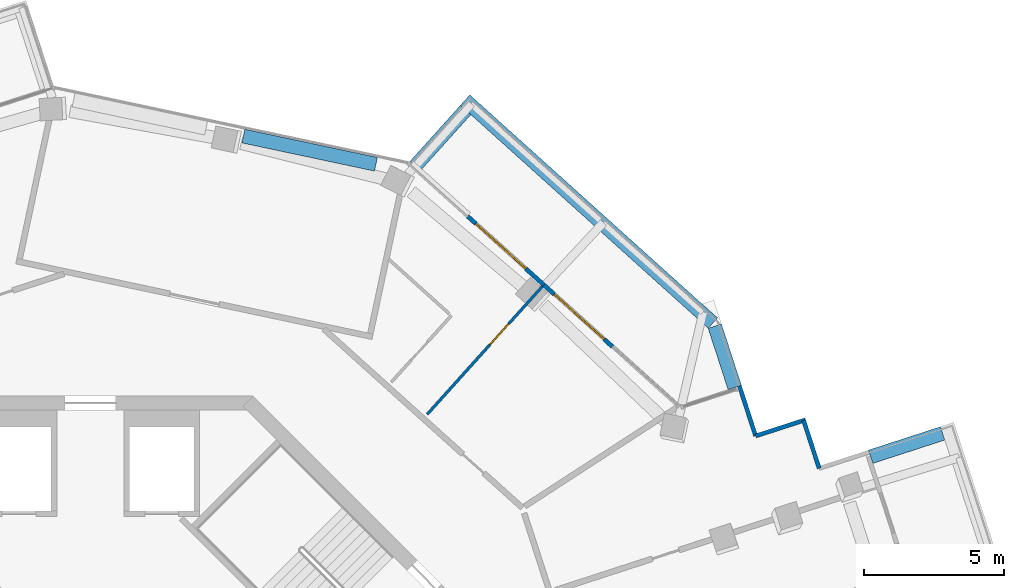
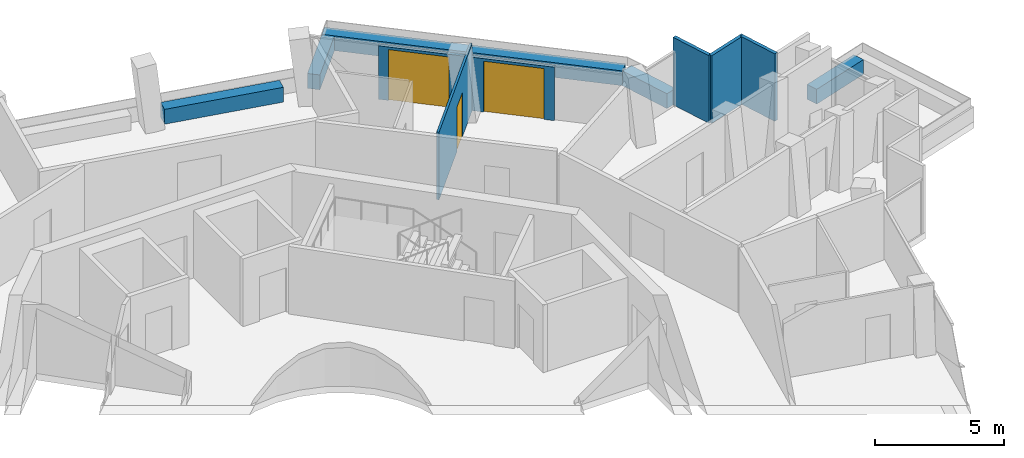
# One storey, part 19 of 22: 11 walls, 3 doors, 3 openings.
"""IFC4 building model written with IfcOpenShell, lengths in metres."""

from ifc_helpers import new_model, si_unit, direction, frame, frame_2d, origin, place, context, subcontext, project, spatial, rectangle, extrude, material, layer, layer_set, type_object, element, fill, save


model = new_model("IFC4")

# Units and contexts
model_context = context("Model", 3, precision=1e-05, world=origin(), true_north=direction((0.0, 1.0)))
body_context = subcontext(model_context, "Body", "Model", "MODEL_VIEW")
ifc_project = project(units=[si_unit("LENGTHUNIT", "METRE"), si_unit("AREAUNIT", "SQUARE_METRE"), si_unit("VOLUMEUNIT", "CUBIC_METRE"), si_unit("PLANEANGLEUNIT", "RADIAN"), si_unit("MASSUNIT", "GRAM", prefix="KILO")], contexts=[model_context])

# Site, building, storey
site_placement = place(None, origin())
site = spatial("IfcSite", under=ifc_project, at=site_placement, CompositionType="ELEMENT")
building_placement = place(site_placement, origin())
building = spatial("IfcBuilding", under=site, at=building_placement, Name="Verdalira Terraces Hotel", CompositionType="ELEMENT")
storey_placement = place(building_placement, frame((0.0, 0.0, 230.5)))
storey = spatial("IfcBuildingStorey", under=building, at=storey_placement, Name="L56", CompositionType="ELEMENT", Elevation=230.5)

# Walls
ifc_material_1 = material(Name="Concrete C40", Category="concrete")
ifc_layer_1 = layer(ifc_material_1, 0.5)
ifc_layer_set_1 = layer_set([ifc_layer_1], Name="Balcony planter trough with tree")
wall_type_1 = type_object("IfcWallType", Name="Balcony planter trough with tree", PredefinedType="SOLIDWALL", material=ifc_layer_set_1)
wall_1_placement = place(storey_placement, frame((30.419434, 12.670166, 0.0), z_axis=(0.0, 0.0, 1.0), x_axis=(-0.951061984, -0.309000165, 0.0)))
element("IfcWall", 1, at=wall_1_placement, inside=storey, type_object=wall_type_1, Name="Balcony planter", PredefinedType="SOLIDWALL", context=body_context, shape_type="SweptSolid", body=[
    extrude(rectangle(XDim=2.698975, YDim=0.5, at=frame_2d((1.349609, 0.0))), origin(), (0.0, 0.0, 1.0), 0.699951),
])
wall_2_placement = place(storey_placement, frame((23.0, 14.308594, 0.0), z_axis=(0.0, 0.0, 1.0), x_axis=(-0.309030937, 0.951051986, 0.0)))
element("IfcWall", 2, at=wall_2_placement, inside=storey, type_object=wall_type_1, Name="Balcony planter", PredefinedType="SOLIDWALL", context=body_context, shape_type="SweptSolid", body=[
    extrude(rectangle(XDim=2.302979, YDim=0.5, at=frame_2d((1.151367, 0.0))), origin(), (0.0, 0.0, 1.0), 0.699951),
])
wall_3_placement = place(storey_placement, frame((22.217773, 16.607422, 0.0), z_axis=(0.0, 0.0, 1.0), x_axis=(-0.743143128, 0.669132491, 0.0)))
element("IfcWall", 3, at=wall_3_placement, inside=storey, type_object=wall_type_1, Name="Balcony planter", PredefinedType="SOLIDWALL", context=body_context, shape_type="SweptSolid", body=[
    extrude(rectangle(XDim=11.898438, YDim=0.5, at=frame_2d((5.949219, 0.0))), origin(), (0.0, 0.0, 1.0), 0.699951),
])
wall_4_placement = place(storey_placement, frame((13.394043, 24.216064, 0.0), z_axis=(0.0, 0.0, 1.0), x_axis=(-0.669144611, -0.743132215, 0.0)))
element("IfcWall", 4, at=wall_4_placement, inside=storey, type_object=wall_type_1, Name="Balcony planter", PredefinedType="SOLIDWALL", context=body_context, shape_type="SweptSolid", body=[
    extrude(rectangle(XDim=2.699219, YDim=0.5, at=frame_2d((1.349609, 0.0))), origin(), (0.0, 0.0, 1.0), 0.699951),
])

# Wall, opening, door
ifc_material_2 = material(Name="Moisture-resistant gypsum board partition")
ifc_layer_2 = layer(ifc_material_2, 0.10009765625)
ifc_layer_set_2 = layer_set([ifc_layer_2], Name="Bathroom partition 100 mm")
wall_type_2 = type_object("IfcWallType", Name="Bathroom partition 100 mm", PredefinedType="PARTITIONING", material=ifc_layer_set_2)
wall_5_placement = place(storey_placement, frame((12.016602, 13.345703, 0.0), z_axis=(0.0, 0.0, 1.0), x_axis=(0.669118247, 0.743155953, 0.0)))
wall_5 = element("IfcWall", 5, at=wall_5_placement, inside=storey, type_object=wall_type_2, Name="Bathroom partition", PredefinedType="PARTITIONING", context=body_context, shape_type="SweptSolid", body=[
    extrude(rectangle(XDim=6.149902, YDim=0.100098, at=frame_2d((3.074951, 0.0))), origin(), (0.0, 0.0, 1.0), 3.189941),
])
opening_1_placement = place(wall_5_placement, frame((3.350098, 0.0, 0.0)))
opening_1 = element("IfcOpeningElement", 6, at=opening_1_placement, cuts=wall_5, Name="Opening L56-128", PredefinedType="OPENING", context=body_context, shape_type="SweptSolid", body=[
    extrude(rectangle(XDim=1.0, YDim=2.100098, at=frame_2d((0.5, 1.050049))), frame((0.0, 0.060059, 0.0), z_axis=(0.0, -1.0, 0.0), x_axis=(1.0, 0.0, 0.0)), (0.0, 0.0, 1.0), 0.120117),
])
ifc_material_3 = material(Name="Timber door", Category="wood")
door_type_1 = type_object("IfcDoorType", Name="Suite internal door 1000 x 2100", OperationType="NOTDEFINED", PredefinedType="DOOR", material=ifc_material_3)
door_1_placement = place(opening_1_placement, origin())
door_1 = element("IfcDoor", 7, at=door_1_placement, inside=storey, type_object=door_type_1, Name="Suite internal door 5610", OperationType="SINGLE_SWING_LEFT", OverallHeight=2.10009765625, OverallWidth=1.0, PredefinedType="DOOR", context=body_context, shape_type="SweptSolid", body=[
    extrude(rectangle(XDim=1.0, YDim=2.100098, at=frame_2d((0.5, 1.050049))), frame((0.0, 0.024902, 0.0), z_axis=(0.0, -1.0, 0.0), x_axis=(1.0, 0.0, 0.0)), (0.0, 0.0, 1.0), 0.050049),
])
fill(opening_1, door_1)

# Walls
ifc_material_4 = material(Name="Concrete C40", Category="concrete")
ifc_layer_3 = layer(ifc_material_4, 0.5)
ifc_layer_set_3 = layer_set([ifc_layer_3], Name="Loggia planter trough with tree")
wall_type_3 = type_object("IfcWallType", Name="Loggia planter trough with tree", PredefinedType="SOLIDWALL", material=ifc_layer_set_3)
wall_6_placement = place(storey_placement, frame((10.190918, 22.276367, 0.0), z_axis=(0.0, 0.0, 1.0), x_axis=(-0.97814679, 0.207915504, 0.0)))
element("IfcWall", 8, at=wall_6_placement, inside=storey, type_object=wall_type_3, Name="Loggia planter", PredefinedType="SOLIDWALL", context=body_context, shape_type="SweptSolid", body=[
    extrude(rectangle(XDim=4.83667, YDim=0.5, at=frame_2d((2.418457, 0.0))), origin(), (0.0, 0.0, 1.0), 0.699951),
])
ifc_material_5 = material(Name="Terracotta cladding", Category="masonry")
ifc_layer_4 = layer(ifc_material_5, 0.14990234375)
ifc_layer_set_4 = layer_set([ifc_layer_4], Name="Terracotta clad wall 150")
wall_type_4 = type_object("IfcWallType", Name="Terracotta clad wall 150", PredefinedType="SOLIDWALL", material=ifc_layer_set_4)
wall_7_placement = place(storey_placement, frame((26.01416, 11.422852, 0.0), z_axis=(0.0, 0.0, 1.0), x_axis=(-0.308975661, 0.951069945, 0.0)))
element("IfcWall", 9, at=wall_7_placement, inside=storey, type_object=wall_type_4, Name="Terracotta cladding wall", PredefinedType="SOLIDWALL", context=body_context, shape_type="SweptSolid", body=[
    extrude(rectangle(XDim=1.800049, YDim=0.149902, at=frame_2d((0.899902, 0.0))), origin(), (0.0, 0.0, 1.0), 3.189941),
])
for number, where, z_axis, x_axis, name in (
    (10, (25.529297, 13.157959, 0.0), (0.0, 0.0, 1.0), (-0.951064685, -0.308991853, 0.0), "Terracotta cladding wall"),
    (11, (23.746094, 12.578613, 0.0), (0.0, 0.0, 1.0), (-0.308991853, 0.951064685, 0.0), "Terracotta cladding wall"),
):
    element("IfcWall", number, at=place(storey_placement, frame(where, z_axis=z_axis, x_axis=x_axis)), inside=storey, type_object=wall_type_4, Name=name, PredefinedType="SOLIDWALL", context=body_context, shape_type="SweptSolid", body=[
        extrude(rectangle(XDim=1.875, YDim=0.149902, at=frame_2d((0.9375, 0.0))), origin(), (0.0, 0.0, 1.0), 3.189941),
    ])

# Wall, opening, door
ifc_material_6 = material(Name="Terracotta cladding", Category="masonry")
ifc_layer_5 = layer(ifc_material_6, 0.14990234375)
ifc_layer_set_5 = layer_set([ifc_layer_5], Name="Terracotta door pier 150")
wall_type_5 = type_object("IfcWallType", Name="Terracotta door pier 150", PredefinedType="SOLIDWALL", material=ifc_layer_set_5)
wall_8_placement = place(storey_placement, frame((18.634277, 15.763672, 0.0), z_axis=(0.0, 0.0, 1.0), x_axis=(-0.743165376, 0.669107781, 0.0)))
wall_8 = element("IfcWall", 12, at=wall_8_placement, inside=storey, type_object=wall_type_5, Name="Terracotta door pier", PredefinedType="SOLIDWALL", context=body_context, shape_type="SweptSolid", body=[
    extrude(rectangle(XDim=3.300049, YDim=0.149902, at=frame_2d((1.649902, 0.0))), origin(), (0.0, 0.0, 1.0), 2.524902),
])
opening_2_placement = place(wall_8_placement, frame((0.399902, 0.0, 0.0)))
opening_2 = element("IfcOpeningElement", 13, at=opening_2_placement, cuts=wall_8, Name="Opening L56-B11", PredefinedType="OPENING", context=body_context, shape_type="SweptSolid", body=[
    extrude(rectangle(XDim=2.399902, YDim=2.399902, at=frame_2d((1.199951, 1.199951))), frame((0.0, 0.084961, 0.0), z_axis=(0.0, -1.0, 0.0), x_axis=(1.0, 0.0, 0.0)), (0.0, 0.0, 1.0), 0.169922),
])
ifc_material_7 = material(Name="Clear glass", Category="glass")
door_type_2 = type_object("IfcDoorType", Name="Balcony sliding door 2400x2400", OperationType="NOTDEFINED", PredefinedType="DOOR", material=ifc_material_7)
door_2_placement = place(opening_2_placement, origin())
door_2 = element("IfcDoor", 14, at=door_2_placement, inside=storey, type_object=door_type_2, Name="Balcony sliding door", OperationType="SLIDING_TO_RIGHT", OverallHeight=2.39990234375, OverallWidth=2.39990234375, PredefinedType="DOOR", context=body_context, shape_type="SweptSolid", body=[
    extrude(rectangle(XDim=2.399902, YDim=2.399902, at=frame_2d((1.199951, 1.199951))), frame((0.0, 0.024902, 0.0), z_axis=(0.0, -1.0, 0.0), x_axis=(1.0, 0.0, 0.0)), (0.0, 0.0, 1.0), 0.050049),
])
fill(opening_2, door_2)

wall_9_placement = place(storey_placement, frame((16.181885, 17.97168, 0.0), z_axis=(0.0, 0.0, 1.0), x_axis=(-0.743144927, 0.669130493, 0.0)))
wall_9 = element("IfcWall", 15, at=wall_9_placement, inside=storey, type_object=wall_type_5, Name="Terracotta door pier", PredefinedType="SOLIDWALL", context=body_context, shape_type="SweptSolid", body=[
    extrude(rectangle(XDim=3.661377, YDim=0.149902, at=frame_2d((1.830566, 0.0))), origin(), (0.0, 0.0, 1.0), 2.524902),
])
opening_3_placement = place(wall_9_placement, frame((0.861328, 0.0, 0.0)))
opening_3 = element("IfcOpeningElement", 16, at=opening_3_placement, cuts=wall_9, Name="Opening L56-B12", PredefinedType="OPENING", context=body_context, shape_type="SweptSolid", body=[
    extrude(rectangle(XDim=2.399902, YDim=2.399902, at=frame_2d((1.199951, 1.199951))), frame((0.0, 0.084961, 0.0), z_axis=(0.0, -1.0, 0.0), x_axis=(1.0, 0.0, 0.0)), (0.0, 0.0, 1.0), 0.169922),
])
door_3_placement = place(opening_3_placement, origin())
door_3 = element("IfcDoor", 17, at=door_3_placement, inside=storey, type_object=door_type_2, Name="Balcony sliding door", OperationType="SLIDING_TO_LEFT", OverallHeight=2.39990234375, OverallWidth=2.39990234375, PredefinedType="DOOR", context=body_context, shape_type="SweptSolid", body=[
    extrude(rectangle(XDim=2.399902, YDim=2.399902, at=frame_2d((1.199951, 1.199951))), frame((0.0, 0.024902, 0.0), z_axis=(0.0, -1.0, 0.0), x_axis=(1.0, 0.0, 0.0)), (0.0, 0.0, 1.0), 0.050049),
])
fill(opening_3, door_3)

save(model, "model.ifc")
